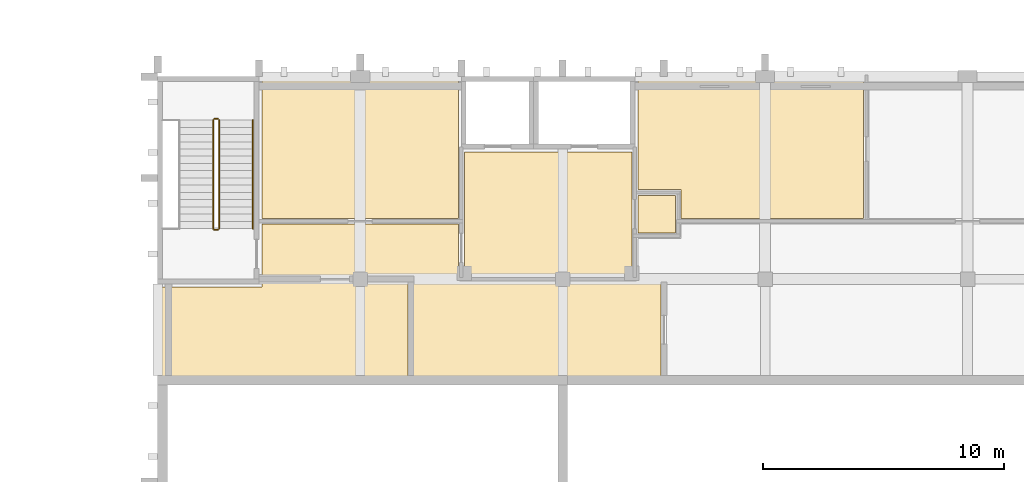
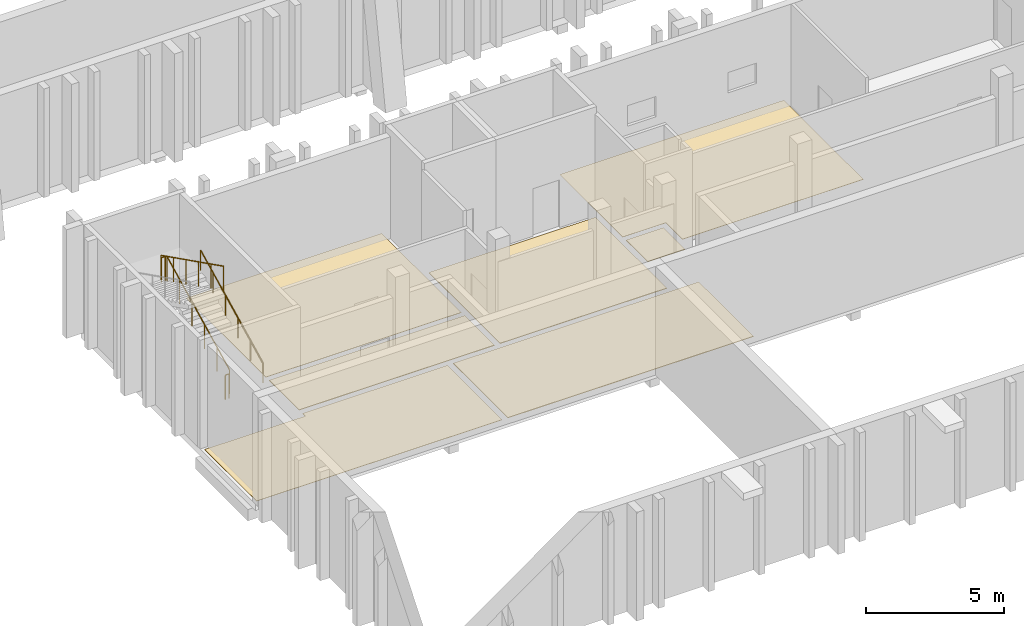
# One storey, part 88 of 91: 7 coverings, 5 railings.
"""IFC4 building model written with IfcOpenShell, lengths in metres."""

from ifc_helpers import new_model, si_unit, direction, frame, origin, origin_2d, place, context, subcontext, project, spatial, polyline, circle, outline, extrude, material, layer, layer_set, type_object, element, save


model = new_model("IFC4")

# Units and contexts
model_context = context("Model", 3, precision=1e-05, world=origin(), true_north=direction((0.0, 1.0)))
body_context = subcontext(model_context, "Body", "Model", "MODEL_VIEW")
ifc_project = project(units=[si_unit("LENGTHUNIT", "METRE"), si_unit("AREAUNIT", "SQUARE_METRE"), si_unit("VOLUMEUNIT", "CUBIC_METRE"), si_unit("PLANEANGLEUNIT", "RADIAN"), si_unit("MASSUNIT", "GRAM", prefix="KILO")], contexts=[model_context])

# Site, building, storey
site_placement = place(None, origin())
site = spatial("IfcSite", under=ifc_project, at=site_placement, CompositionType="ELEMENT")
building_placement = place(site_placement, origin())
building = spatial("IfcBuilding", under=site, at=building_placement, Name="Kiln Court Media Centre", CompositionType="ELEMENT")
storey_placement = place(building_placement, frame((0.0, 0.0, 5.39990234375)))
storey = spatial("IfcBuildingStorey", under=building, at=storey_placement, Name="L01", CompositionType="ELEMENT", Elevation=5.39990234375)

# Coverings
ifc_material_1 = material(Name="Carpet tile")
ifc_layer_1 = layer(ifc_material_1, 0.014892578125)
ifc_layer_set_1 = layer_set([ifc_layer_1], Name="Carpet tile floor finish 15")
covering_type_1 = type_object("IfcCoveringType", Name="Carpet tile floor finish 15", PredefinedType="FLOORING", material=ifc_layer_set_1)
covering_1_placement = place(storey_placement, origin())
element("IfcCovering", 1, at=covering_1_placement, inside=storey, type_object=covering_type_1, Name="Control Room 1 Gallery floor finish", PredefinedType="FLOORING", context=body_context, shape_type="SweptSolid", body=[
    extrude(outline(polyline([(136.3798828125, 16.679931640625), (130.320068359375, 16.679931640625), (130.320068359375, 16.47998046875), (126.1201171875, 16.47998046875), (126.1201171875, 12.719970703125), (136.3798828125, 12.719970703125), (136.3798828125, 16.679931640625)])), origin(), (0.0, 0.0, 1.0), 0.01513671875),
])
covering_2_placement = place(storey_placement, origin())
element("IfcCovering", 2, at=covering_2_placement, inside=storey, type_object=covering_type_1, Name="Audio Post Suite 1 floor finish", PredefinedType="FLOORING", context=body_context, shape_type="SweptSolid", body=[
    extrude(outline(polyline([(130.320068359375, 19.320068359375), (138.47998046875, 19.320068359375), (138.47998046875, 25.080078125), (130.320068359375, 25.080078125), (130.320068359375, 19.320068359375)])), origin(), (0.0, 0.0, 1.0), 0.01513671875),
])
ifc_material_2 = material(Name="Ceramic tile")
ifc_layer_2 = layer(ifc_material_2, 0.011962890625)
ifc_layer_set_2 = layer_set([ifc_layer_2], Name="Ceramic tile floor finish 12")
covering_type_2 = type_object("IfcCoveringType", Name="Ceramic tile floor finish 12", PredefinedType="FLOORING", material=ifc_layer_set_2)
covering_3_placement = place(storey_placement, origin())
element("IfcCovering", 3, at=covering_3_placement, inside=storey, type_object=covering_type_2, Name="Toilets floor finish", PredefinedType="FLOORING", context=body_context, shape_type="SweptSolid", body=[
    extrude(outline(polyline([(145.919921875, 25.080078125), (145.919921875, 20.52001953125), (147.719970703125, 20.52001953125), (147.719970703125, 19.320068359375), (155.280029296875, 19.320068359375), (155.280029296875, 25.080078125), (145.919921875, 25.080078125)])), origin(), (0.0, 0.0, 1.0), 0.01220703125),
])
ifc_material_3 = material(Name="Terrazzo")
ifc_layer_3 = layer(ifc_material_3, 0.02490234375)
ifc_layer_set_3 = layer_set([ifc_layer_3], Name="Polished terrazzo floor finish 25")
covering_type_3 = type_object("IfcCoveringType", Name="Polished terrazzo floor finish 25", PredefinedType="FLOORING", material=ifc_layer_set_3)
covering_4_placement = place(storey_placement, origin())
element("IfcCovering", 4, at=covering_4_placement, inside=storey, type_object=covering_type_3, Name="Sound Lock Corridor floor finish", PredefinedType="FLOORING", context=body_context, shape_type="SweptSolid", body=[
    extrude(outline(polyline([(136.6201171875, 12.719970703125), (146.8798828125, 12.719970703125), (146.8798828125, 16.679931640625), (136.6201171875, 16.679931640625), (136.6201171875, 12.719970703125)])), origin(), (0.0, 0.0, 1.0), 0.025146484375),
])
covering_5_placement = place(storey_placement, origin())
element("IfcCovering", 5, at=covering_5_placement, inside=storey, type_object=covering_type_3, Name="Studio Corridor floor finish", PredefinedType="FLOORING", context=body_context, shape_type="SweptSolid", body=[
    extrude(outline(polyline([(130.320068359375, 16.919921875), (138.47998046875, 16.919921875), (138.47998046875, 19.080078125), (130.320068359375, 19.080078125), (130.320068359375, 16.919921875)])), origin(), (0.0, 0.0, 1.0), 0.025146484375),
])
covering_6_placement = place(storey_placement, origin())
element("IfcCovering", 6, at=covering_6_placement, inside=storey, type_object=covering_type_3, Name="Fire-fighting Lift Lobby floor finish", PredefinedType="FLOORING", context=body_context, shape_type="SweptSolid", body=[
    extrude(outline(polyline([(138.719970703125, 16.919921875), (145.679931640625, 16.919921875), (145.679931640625, 22.080078125), (138.719970703125, 22.080078125), (138.719970703125, 16.919921875)])), origin(), (0.0, 0.0, 1.0), 0.025146484375),
])
covering_7_placement = place(storey_placement, origin())
element("IfcCovering", 7, at=covering_7_placement, inside=storey, type_object=covering_type_3, Name="Wheelchair Refuge floor finish", PredefinedType="FLOORING", context=body_context, shape_type="SweptSolid", body=[
    extrude(outline(polyline([(145.919921875, 18.719970703125), (147.47998046875, 18.719970703125), (147.47998046875, 20.280029296875), (145.919921875, 20.280029296875), (145.919921875, 18.719970703125)])), origin(), (0.0, 0.0, 1.0), 0.025146484375),
])

# Railings
ifc_material_4 = material(Name="Steel S275", Category="steel")
railing_type_1 = type_object("IfcRailingType", Name="Steel S275 stair guard 1100", PredefinedType="GUARDRAIL", material=ifc_material_4)
railing_1_placement = place(storey_placement, frame((128.550048828125, 18.89990234375, 0.150146484375)))
element("IfcRailing", 8, at=railing_1_placement, inside=storey, type_object=railing_type_1, Name="ST-16 stair guard", PredefinedType="GUARDRAIL", context=body_context, shape_type="SweptSolid", body=[
    extrude(circle(Radius=0.02392578125, at=origin_2d()), frame((0.0, 0.0, 1.076171875), z_axis=(0.0, 0.894427191, 0.4472135955), x_axis=(-1.0, 0.0, 0.0)), (0.0, 0.0, 1.0), 5.03125),
    extrude(circle(Radius=0.02099609375, at=origin_2d()), origin(), (0.0, 0.0, 1.0), 1.052001953125),
    extrude(circle(Radius=0.02099609375, at=origin_2d()), frame((0.0, 0.89990234375, 0.449951171875)), (0.0, 0.0, 1.0), 1.052001953125),
    extrude(circle(Radius=0.02099609375, at=origin_2d()), frame((0.0, 1.800048828125, 0.89990234375)), (0.0, 0.0, 1.0), 1.052001953125),
    extrude(circle(Radius=0.02099609375, at=origin_2d()), frame((0.0, 2.699951171875, 1.35009765625)), (0.0, 0.0, 1.0), 1.052001953125),
    extrude(circle(Radius=0.02099609375, at=origin_2d()), frame((0.0, 3.60009765625, 1.800048828125)), (0.0, 0.0, 1.0), 1.052001953125),
    extrude(circle(Radius=0.02099609375, at=origin_2d()), frame((0.0, 4.5, 2.25)), (0.0, 0.0, 1.0), 1.052001953125),
])
railing_2_placement = place(storey_placement, frame((128.5, 23.449951171875, 2.400146484375)))
element("IfcRailing", 9, at=railing_2_placement, inside=storey, type_object=railing_type_1, Name="ST-16 stair guard", PredefinedType="GUARDRAIL", context=body_context, shape_type="SweptSolid", body=[
    extrude(circle(Radius=0.02392578125, at=origin_2d()), frame((0.0, 0.0, 1.076171875), z_axis=(-1.0, 0.0, 0.0), x_axis=(0.0, -1.0, 0.0)), (0.0, 0.0, 1.0), 0.14990234375),
    extrude(circle(Radius=0.02099609375, at=origin_2d()), origin(), (0.0, 0.0, 1.0), 1.052001953125),
    extrude(circle(Radius=0.02099609375, at=origin_2d()), frame((-0.14990234375, 0.0, 0.0)), (0.0, 0.0, 1.0), 1.052001953125),
])
railing_3_placement = place(storey_placement, frame((128.300048828125, 23.39990234375, 2.550048828125)))
element("IfcRailing", 10, at=railing_3_placement, inside=storey, type_object=railing_type_1, Name="ST-16 stair guard", PredefinedType="GUARDRAIL", context=body_context, shape_type="SweptSolid", body=[
    extrude(circle(Radius=0.02392578125, at=origin_2d()), frame((0.0, 0.0, 1.076171875), z_axis=(0.0, -0.894427191, 0.4472135955), x_axis=(1.0, 0.0, 0.0)), (0.0, 0.0, 1.0), 5.03125),
    extrude(circle(Radius=0.02099609375, at=origin_2d()), origin(), (0.0, 0.0, 1.0), 1.052001953125),
    extrude(circle(Radius=0.02099609375, at=origin_2d()), frame((0.0, -0.89990234375, 0.449951171875)), (0.0, 0.0, 1.0), 1.052001953125),
    extrude(circle(Radius=0.02099609375, at=origin_2d()), frame((0.0, -1.800048828125, 0.89990234375)), (0.0, 0.0, 1.0), 1.052001953125),
    extrude(circle(Radius=0.02099609375, at=origin_2d()), frame((0.0, -2.699951171875, 1.35009765625)), (0.0, 0.0, 1.0), 1.052001953125),
    extrude(circle(Radius=0.02099609375, at=origin_2d()), frame((0.0, -3.60009765625, 1.800048828125)), (0.0, 0.0, 1.0), 1.052001953125),
    extrude(circle(Radius=0.02099609375, at=origin_2d()), frame((0.0, -4.5, 2.25)), (0.0, 0.0, 1.0), 1.052001953125),
])
railing_4_placement = place(storey_placement, frame((128.5, 18.85009765625, 0.0)))
element("IfcRailing", 11, at=railing_4_placement, inside=storey, type_object=railing_type_1, Name="ST-16 stair guard", PredefinedType="GUARDRAIL", context=body_context, shape_type="SweptSolid", body=[
    extrude(circle(Radius=0.02392578125, at=origin_2d()), frame((0.0, 0.0, 1.076171875), z_axis=(-1.0, 0.0, 0.0), x_axis=(0.0, -1.0, 0.0)), (0.0, 0.0, 1.0), 0.14990234375),
    extrude(circle(Radius=0.02099609375, at=origin_2d()), origin(), (0.0, 0.0, 1.0), 1.052001953125),
    extrude(circle(Radius=0.02099609375, at=origin_2d()), frame((-0.14990234375, 0.0, 0.0)), (0.0, 0.0, 1.0), 1.052001953125),
])
ifc_material_5 = material(Name="Steel S275", Category="steel")
railing_type_2 = type_object("IfcRailingType", Name="Steel S275 stair handrail 900", PredefinedType="HANDRAIL", material=ifc_material_5)
railing_5_placement = place(storey_placement, frame((129.949951171875, 18.89990234375, 0.150146484375)))
element("IfcRailing", 12, at=railing_5_placement, inside=storey, type_object=railing_type_2, Name="ST-16 stair handrail", PredefinedType="HANDRAIL", context=body_context, shape_type="SweptSolid", body=[
    extrude(circle(Radius=0.02392578125, at=origin_2d()), frame((0.0, 0.0, 0.8759765625), z_axis=(0.0, 0.894427191, 0.4472135955), x_axis=(-1.0, 0.0, 0.0)), (0.0, 0.0, 1.0), 5.03125),
    extrude(circle(Radius=0.02099609375, at=origin_2d()), origin(), (0.0, 0.0, 1.0), 0.851806640625),
    extrude(circle(Radius=0.02099609375, at=origin_2d()), frame((0.0, 0.89990234375, 0.449951171875)), (0.0, 0.0, 1.0), 0.851806640625),
    extrude(circle(Radius=0.02099609375, at=origin_2d()), frame((0.0, 1.800048828125, 0.89990234375)), (0.0, 0.0, 1.0), 0.851806640625),
    extrude(circle(Radius=0.02099609375, at=origin_2d()), frame((0.0, 2.699951171875, 1.35009765625)), (0.0, 0.0, 1.0), 0.851806640625),
    extrude(circle(Radius=0.02099609375, at=origin_2d()), frame((0.0, 3.60009765625, 1.800048828125)), (0.0, 0.0, 1.0), 0.851806640625),
    extrude(circle(Radius=0.02099609375, at=origin_2d()), frame((0.0, 4.5, 2.25)), (0.0, 0.0, 1.0), 0.851806640625),
])

save(model, "model.ifc")
